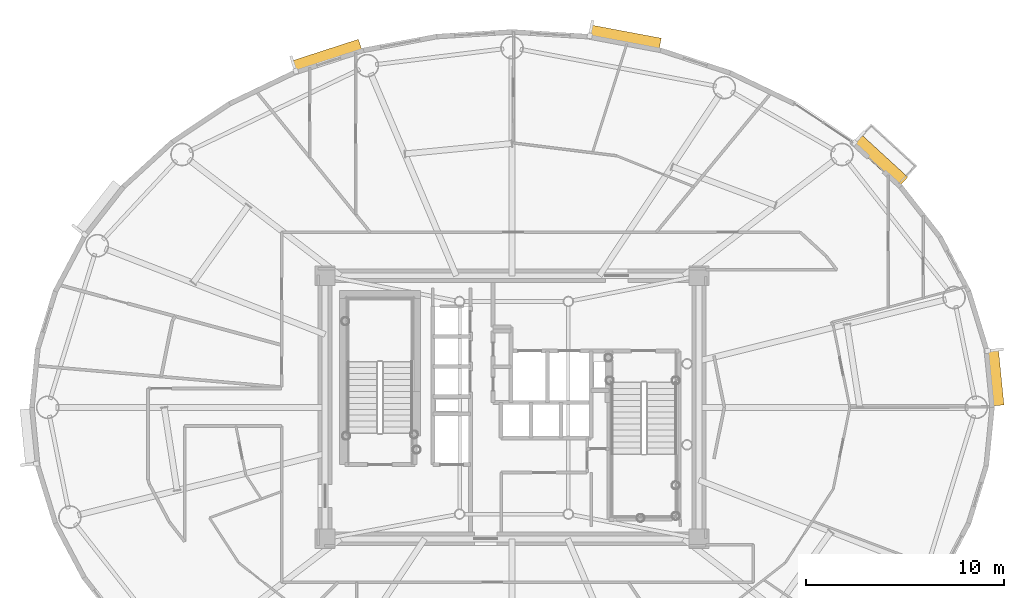
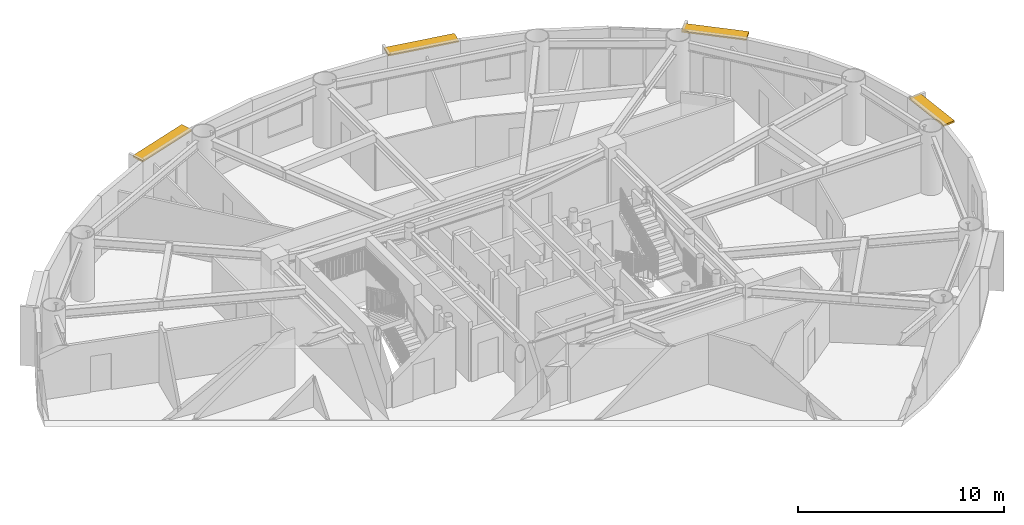
# One storey, part 19 of 19: 4 shading devices.
"""IFC4 building model written with IfcOpenShell, lengths in metres."""

from ifc_helpers import new_model, si_unit, direction, frame, origin, origin_2d, place, context, subcontext, project, spatial, rectangle, extrude, source, transform, mapped, material, layer, layer_set, type_object, element, save


model = new_model("IFC4")

# Units and contexts
model_context = context("Model", 3, precision=1e-05, world=origin(), true_north=direction((0.0, 1.0)))
body_context = subcontext(model_context, "Body", "Model", "MODEL_VIEW")
ifc_project = project(units=[si_unit("LENGTHUNIT", "METRE"), si_unit("AREAUNIT", "SQUARE_METRE"), si_unit("VOLUMEUNIT", "CUBIC_METRE"), si_unit("PLANEANGLEUNIT", "RADIAN"), si_unit("MASSUNIT", "GRAM", prefix="KILO")], contexts=[model_context])

# Site, building, storey
site_placement = place(None, origin())
site = spatial("IfcSite", under=ifc_project, at=site_placement, CompositionType="ELEMENT")
building_placement = place(site_placement, origin())
building = spatial("IfcBuilding", under=site, at=building_placement, Name="Linh Dai School and Residence Tower", CompositionType="ELEMENT")
storey_placement = place(building_placement, frame((0.0, 0.0, 247.800048828125)))
storey = spatial("IfcBuildingStorey", under=building, at=storey_placement, Name="L61", CompositionType="ELEMENT", Elevation=247.800048828125)

# Shading devices
ifc_material = material(Name="Terracotta Ceramic Sunshade", Category="masonry")
ifc_layer = layer(ifc_material, 0.10009765625)
ifc_layer_set = layer_set([ifc_layer], Name="Terracotta Ceramic Sunshade")
shading_device_type = type_object("IfcShadingDeviceType", Name="SHD-TC-650", PredefinedType="USERDEFINED", material=ifc_layer_set)
shared_shape_1 = source(origin(), body_context, "Body", "SweptSolid", [
    extrude(rectangle(XDim=2.859619140625, YDim=0.64990234375, at=origin_2d()), origin(), (0.0, 0.0, 1.0), 0.10009765625),
])
shading_device_1_placement = place(storey_placement, frame((60.40966796875, 28.510498046875, 3.3798828125), z_axis=(0.0, 0.0, 1.0), x_axis=(0.100012244219, -0.99498620644, 0.0)))
element("IfcShadingDevice", 1, at=shading_device_1_placement, inside=storey, type_object=shading_device_type, Name="L61 Terracotta Horizontal Sunshade Band 01", ObjectType="SUNSHADE", PredefinedType="USERDEFINED", context=body_context, shape_type="MappedRepresentation", body=[
    mapped(shared_shape_1, transform((0.0, 0.0, 0.0), x_axis=(1.0, 0.0, 0.0), y_axis=(0.0, 1.0, 0.0), z_axis=(0.0, 0.0, 1.0), scale=1.0)),
])
shared_shape_2 = source(origin(), body_context, "Body", "SweptSolid", [
    extrude(rectangle(XDim=3.219482421875, YDim=0.64990234375, at=origin_2d()), origin(), (0.0, 0.0, 1.0), 0.10009765625),
])
shading_device_2_placement = place(storey_placement, frame((54.60498046875, 39.48779296875, 3.3798828125), z_axis=(0.0, 0.0, 1.0), x_axis=(0.737123938446, -0.675757574408, 0.0)))
element("IfcShadingDevice", 2, at=shading_device_2_placement, inside=storey, type_object=shading_device_type, Name="L61 Terracotta Horizontal Sunshade Band 05", ObjectType="SUNSHADE", PredefinedType="USERDEFINED", context=body_context, shape_type="MappedRepresentation", body=[
    mapped(shared_shape_2, transform((0.0, 0.0, 0.0), x_axis=(1.0, 0.0, 0.0), y_axis=(0.0, 1.0, 0.0), z_axis=(0.0, 0.0, 1.0), scale=1.0)),
])
shared_shape_3 = source(origin(), body_context, "Body", "SweptSolid", [
    extrude(rectangle(XDim=3.62158203125, YDim=0.64990234375, at=origin_2d()), origin(), (0.0, 0.0, 1.0), 0.10009765625),
])
shading_device_3_placement = place(storey_placement, frame((41.7080078125, 45.67724609375, 3.3798828125), z_axis=(0.0, 0.0, 1.0), x_axis=(0.982786586765, -0.18474448537, 0.0)))
element("IfcShadingDevice", 3, at=shading_device_3_placement, inside=storey, type_object=shading_device_type, Name="L61 Terracotta Horizontal Sunshade Band 09", ObjectType="SUNSHADE", PredefinedType="USERDEFINED", context=body_context, shape_type="MappedRepresentation", body=[
    mapped(shared_shape_3, transform((0.0, 0.0, 0.0), x_axis=(1.0, 0.0, 0.0), y_axis=(0.0, 1.0, 0.0), z_axis=(0.0, 0.0, 1.0), scale=1.0)),
])
shared_shape_4 = source(origin(), body_context, "Body", "SweptSolid", [
    extrude(rectangle(XDim=3.554443359375, YDim=0.64990234375, at=origin_2d()), origin(), (0.0, 0.0, 1.0), 0.10009765625),
])
shading_device_4_placement = place(storey_placement, frame((26.641845703125, 44.748779296875, 3.3798828125), z_axis=(0.0, 0.0, 1.0), x_axis=(0.951223997135, 0.308501065272, 0.0)))
element("IfcShadingDevice", 4, at=shading_device_4_placement, inside=storey, type_object=shading_device_type, Name="L61 Terracotta Horizontal Sunshade Band 13", ObjectType="SUNSHADE", PredefinedType="USERDEFINED", context=body_context, shape_type="MappedRepresentation", body=[
    mapped(shared_shape_4, transform((0.0, 0.0, 0.0), x_axis=(1.0, 0.0, 0.0), y_axis=(0.0, 1.0, 0.0), z_axis=(0.0, 0.0, 1.0), scale=1.0)),
])

save(model, "model.ifc")
